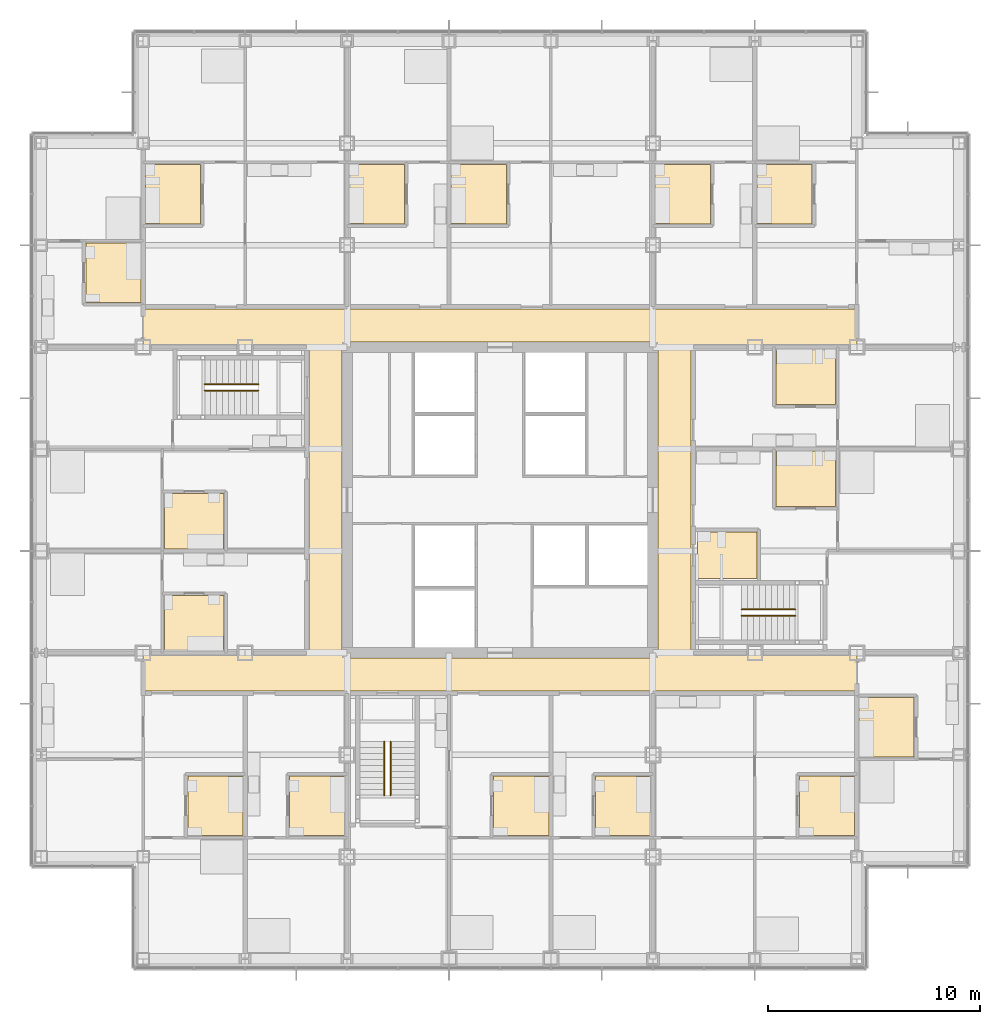
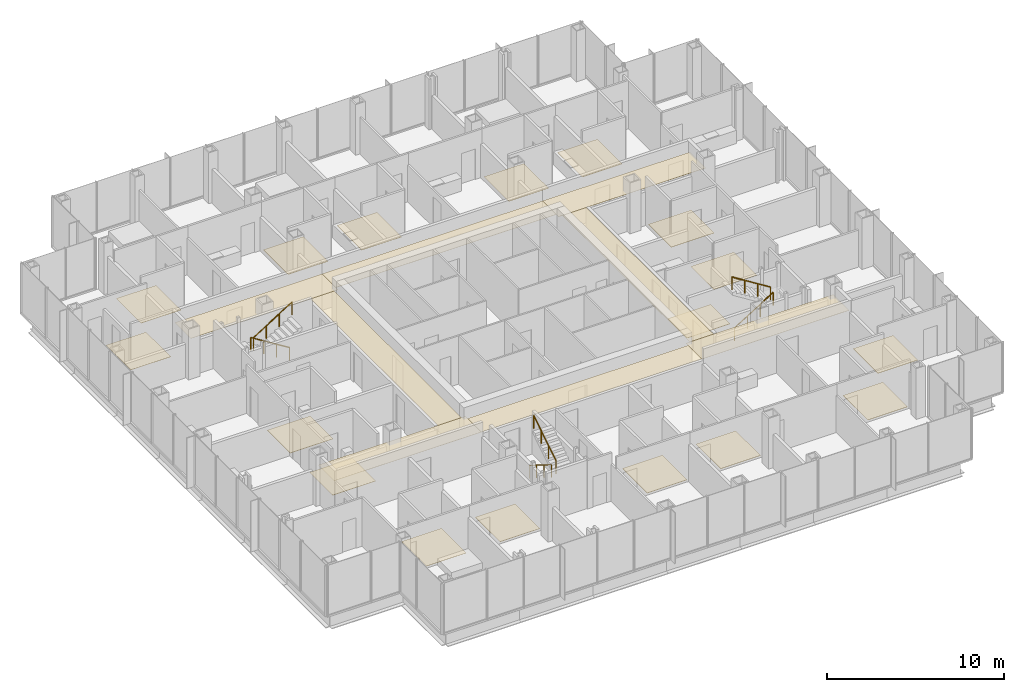
# One storey, part 19 of 21: 25 coverings, 6 railings.
"""IFC4 building model written with IfcOpenShell, lengths in metres."""

from ifc_helpers import new_model, si_unit, direction, frame, origin, origin_2d, place, context, subcontext, project, spatial, polyline, circle, outline, extrude, material, layer, layer_set, type_object, element, save


model = new_model("IFC4")

# Units and contexts
model_context = context("Model", 3, precision=1e-05, world=origin(), true_north=direction((0.0, 1.0)))
body_context = subcontext(model_context, "Body", "Model", "MODEL_VIEW")
ifc_project = project(units=[si_unit("LENGTHUNIT", "METRE"), si_unit("AREAUNIT", "SQUARE_METRE"), si_unit("VOLUMEUNIT", "CUBIC_METRE"), si_unit("PLANEANGLEUNIT", "RADIAN"), si_unit("MASSUNIT", "GRAM", prefix="KILO")], contexts=[model_context])

# Site, building, storey
site_placement = place(None, origin())
site = spatial("IfcSite", under=ifc_project, at=site_placement, CompositionType="ELEMENT")
building_placement = place(site_placement, origin())
building = spatial("IfcBuilding", under=site, at=building_placement, Name="Kvirike Care Tower", CompositionType="ELEMENT")
storey_placement = place(building_placement, frame((0.0, 0.0, 30.5)))
storey = spatial("IfcBuildingStorey", under=building, at=storey_placement, Name="L07", CompositionType="ELEMENT", Elevation=30.5)

# Coverings
ifc_material_1 = material(Name="Perforated metal ceiling tile", Category="aluminium")
ifc_layer_1 = layer(ifc_material_1, 0.014892578125)
ifc_layer_set_1 = layer_set([ifc_layer_1], Name="CORRIDOR CEILING 15")
covering_type_1 = type_object("IfcCoveringType", Name="CORRIDOR CEILING 15", PredefinedType="CEILING", material=ifc_layer_set_1)
covering_1_placement = place(storey_placement, frame((0.0, 0.0, 2.5)))
element("IfcCovering", 1, at=covering_1_placement, inside=storey, type_object=covering_type_1, Name="Corridor ceiling L07", PredefinedType="CEILING", context=body_context, shape_type="SweptSolid", body=[
    extrude(outline(polyline([(4.800048828125, 27.0), (4.800048828125, 28.800048828125), (14.39990234375, 28.800048828125), (14.39990234375, 27.0), (4.800048828125, 27.0)])), origin(), (0.0, 0.0, 1.0), 0.014892578125),
])
covering_2_placement = place(storey_placement, frame((0.0, 0.0, 2.5)))
element("IfcCovering", 2, at=covering_2_placement, inside=storey, type_object=covering_type_1, Name="Corridor ceiling L07", PredefinedType="CEILING", context=body_context, shape_type="SweptSolid", body=[
    extrude(outline(polyline([(12.60009765625, 43.199951171875), (14.14990234375, 43.199951171875), (14.14990234375, 28.800048828125), (12.60009765625, 28.800048828125), (12.60009765625, 43.199951171875)])), origin(), (0.0, 0.0, 1.0), 0.014892578125),
])
covering_3_placement = place(storey_placement, frame((0.0, 0.0, 2.5)))
element("IfcCovering", 3, at=covering_3_placement, inside=storey, type_object=covering_type_1, Name="Corridor ceiling L07", PredefinedType="CEILING", context=body_context, shape_type="SweptSolid", body=[
    extrude(outline(polyline([(14.39990234375, 45.0), (14.39990234375, 43.199951171875), (4.800048828125, 43.199951171875), (4.800048828125, 45.0), (14.39990234375, 45.0)])), origin(), (0.0, 0.0, 1.0), 0.014892578125),
])
covering_4_placement = place(storey_placement, frame((0.0, 0.0, 2.5)))
element("IfcCovering", 4, at=covering_4_placement, inside=storey, type_object=covering_type_1, Name="Corridor ceiling L07", PredefinedType="CEILING", context=body_context, shape_type="SweptSolid", body=[
    extrude(outline(polyline([(14.39990234375, 27.0), (14.39990234375, 28.550048828125), (28.800048828125, 28.550048828125), (28.800048828125, 27.0), (14.39990234375, 27.0)])), origin(), (0.0, 0.0, 1.0), 0.014892578125),
])
covering_5_placement = place(storey_placement, frame((0.0, 0.0, 2.5)))
element("IfcCovering", 5, at=covering_5_placement, inside=storey, type_object=covering_type_1, Name="Corridor ceiling L07", PredefinedType="CEILING", context=body_context, shape_type="SweptSolid", body=[
    extrude(outline(polyline([(28.800048828125, 45.0), (28.800048828125, 43.449951171875), (14.39990234375, 43.449951171875), (14.39990234375, 45.0), (28.800048828125, 45.0)])), origin(), (0.0, 0.0, 1.0), 0.014892578125),
])
covering_6_placement = place(storey_placement, frame((0.0, 0.0, 2.5)))
element("IfcCovering", 6, at=covering_6_placement, inside=storey, type_object=covering_type_1, Name="Corridor ceiling L07", PredefinedType="CEILING", context=body_context, shape_type="SweptSolid", body=[
    extrude(outline(polyline([(28.800048828125, 27.0), (28.800048828125, 28.800048828125), (38.39990234375, 28.800048828125), (38.39990234375, 27.0), (28.800048828125, 27.0)])), origin(), (0.0, 0.0, 1.0), 0.014892578125),
])
covering_7_placement = place(storey_placement, frame((0.0, 0.0, 2.5)))
element("IfcCovering", 7, at=covering_7_placement, inside=storey, type_object=covering_type_1, Name="Corridor ceiling L07", PredefinedType="CEILING", context=body_context, shape_type="SweptSolid", body=[
    extrude(outline(polyline([(30.60009765625, 28.800048828125), (29.050048828125, 28.800048828125), (29.050048828125, 43.199951171875), (30.60009765625, 43.199951171875), (30.60009765625, 28.800048828125)])), origin(), (0.0, 0.0, 1.0), 0.014892578125),
])
covering_8_placement = place(storey_placement, frame((0.0, 0.0, 2.5)))
element("IfcCovering", 8, at=covering_8_placement, inside=storey, type_object=covering_type_1, Name="Corridor ceiling L07", PredefinedType="CEILING", context=body_context, shape_type="SweptSolid", body=[
    extrude(outline(polyline([(38.39990234375, 45.0), (38.39990234375, 43.199951171875), (28.800048828125, 43.199951171875), (28.800048828125, 45.0), (38.39990234375, 45.0)])), origin(), (0.0, 0.0, 1.0), 0.014892578125),
])

# Railings
ifc_material_2 = material(Name="Stainless steel handrail", Category="steel")
railing_type = type_object("IfcRailingType", Name="STAIR HANDRAIL 900", PredefinedType="HANDRAIL", material=ifc_material_2)
railing_1_placement = place(storey_placement, frame((10.219970703125, 41.449951171875, 0.175048828125)))
element("IfcRailing", 9, at=railing_1_placement, inside=storey, type_object=railing_type, Name="Stair 1 handrail L07 flight 1", PredefinedType="HANDRAIL", context=body_context, shape_type="SweptSolid", body=[
    extrude(circle(Radius=0.02490234375, at=origin_2d()), frame((0.0, 0.0, 0.875), z_axis=(-0.848007534815, 0.0, 0.529984170421), x_axis=(0.0, -1.0, 0.0)), (0.0, 0.0, 1.0), 2.9716796875),
    extrude(circle(Radius=0.02001953125, at=origin_2d()), origin(), (0.0, 0.0, 1.0), 0.849853515625),
    extrude(circle(Radius=0.02001953125, at=origin_2d()), frame((-0.840087890625, 0.0, 0.52490234375)), (0.0, 0.0, 1.0), 0.849853515625),
    extrude(circle(Radius=0.02001953125, at=origin_2d()), frame((-1.679931640625, 0.0, 1.050048828125)), (0.0, 0.0, 1.0), 0.849853515625),
    extrude(circle(Radius=0.02001953125, at=origin_2d()), frame((-2.52001953125, 0.0, 1.574951171875)), (0.0, 0.0, 1.0), 0.849853515625),
])
for number, where, name in (
    (10, (7.699951171875, 41.14990234375, 1.925048828125), "Stair 1 handrail L07 flight 2"),
    (11, (32.97998046875, 30.550048828125, 0.175048828125), "Stair 2 handrail L07 flight 1"),
):
    element("IfcRailing", number, at=place(storey_placement, frame(where)), inside=storey, type_object=railing_type, Name=name, PredefinedType="HANDRAIL", context=body_context, shape_type="SweptSolid", body=[
        extrude(circle(Radius=0.02490234375, at=origin_2d()), frame((0.0, 0.0, 0.875), z_axis=(0.848007534815, 0.0, 0.529984170421), x_axis=(0.0, 1.0, 0.0)), (0.0, 0.0, 1.0), 2.9716796875),
        extrude(circle(Radius=0.02001953125, at=origin_2d()), origin(), (0.0, 0.0, 1.0), 0.849853515625),
        extrude(circle(Radius=0.02001953125, at=origin_2d()), frame((0.840087890625, 0.0, 0.52490234375)), (0.0, 0.0, 1.0), 0.849853515625),
        extrude(circle(Radius=0.02001953125, at=origin_2d()), frame((1.679931640625, 0.0, 1.050048828125)), (0.0, 0.0, 1.0), 0.849853515625),
        extrude(circle(Radius=0.02001953125, at=origin_2d()), frame((2.52001953125, 0.0, 1.574951171875)), (0.0, 0.0, 1.0), 0.849853515625),
    ])
railing_2_placement = place(storey_placement, frame((35.5, 30.85009765625, 1.925048828125)))
element("IfcRailing", 12, at=railing_2_placement, inside=storey, type_object=railing_type, Name="Stair 2 handrail L07 flight 2", PredefinedType="HANDRAIL", context=body_context, shape_type="SweptSolid", body=[
    extrude(circle(Radius=0.02490234375, at=origin_2d()), frame((0.0, 0.0, 0.875), z_axis=(-0.848007534815, 0.0, 0.529984170421), x_axis=(0.0, -1.0, 0.0)), (0.0, 0.0, 1.0), 2.9716796875),
    extrude(circle(Radius=0.02001953125, at=origin_2d()), origin(), (0.0, 0.0, 1.0), 0.849853515625),
    extrude(circle(Radius=0.02001953125, at=origin_2d()), frame((-0.840087890625, 0.0, 0.52490234375)), (0.0, 0.0, 1.0), 0.849853515625),
    extrude(circle(Radius=0.02001953125, at=origin_2d()), frame((-1.679931640625, 0.0, 1.050048828125)), (0.0, 0.0, 1.0), 0.849853515625),
    extrude(circle(Radius=0.02001953125, at=origin_2d()), frame((-2.52001953125, 0.0, 1.574951171875)), (0.0, 0.0, 1.0), 0.849853515625),
])
railing_3_placement = place(storey_placement, frame((16.14990234375, 24.6201171875, 0.175048828125)))
element("IfcRailing", 13, at=railing_3_placement, inside=storey, type_object=railing_type, Name="Stair 5 handrail L07 flight 1", PredefinedType="HANDRAIL", context=body_context, shape_type="SweptSolid", body=[
    extrude(circle(Radius=0.02490234375, at=origin_2d()), frame((0.0, 0.0, 0.875), z_axis=(0.0, -0.848007534815, 0.529984170421), x_axis=(1.0, 0.0, 0.0)), (0.0, 0.0, 1.0), 2.9716796875),
    extrude(circle(Radius=0.02001953125, at=origin_2d()), origin(), (0.0, 0.0, 1.0), 0.849853515625),
    extrude(circle(Radius=0.02001953125, at=origin_2d()), frame((0.0, -0.840087890625, 0.52490234375)), (0.0, 0.0, 1.0), 0.849853515625),
    extrude(circle(Radius=0.02001953125, at=origin_2d()), frame((0.0, -1.679931640625, 1.050048828125)), (0.0, 0.0, 1.0), 0.849853515625),
    extrude(circle(Radius=0.02001953125, at=origin_2d()), frame((0.0, -2.52001953125, 1.574951171875)), (0.0, 0.0, 1.0), 0.849853515625),
])
railing_4_placement = place(storey_placement, frame((16.449951171875, 22.10009765625, 1.925048828125)))
element("IfcRailing", 14, at=railing_4_placement, inside=storey, type_object=railing_type, Name="Stair 5 handrail L07 flight 2", PredefinedType="HANDRAIL", context=body_context, shape_type="SweptSolid", body=[
    extrude(circle(Radius=0.02490234375, at=origin_2d()), frame((0.0, 0.0, 0.875), z_axis=(0.0, 0.848007534815, 0.529984170421), x_axis=(-1.0, 0.0, 0.0)), (0.0, 0.0, 1.0), 2.9716796875),
    extrude(circle(Radius=0.02001953125, at=origin_2d()), origin(), (0.0, 0.0, 1.0), 0.849853515625),
    extrude(circle(Radius=0.02001953125, at=origin_2d()), frame((0.0, 0.840087890625, 0.52490234375)), (0.0, 0.0, 1.0), 0.849853515625),
    extrude(circle(Radius=0.02001953125, at=origin_2d()), frame((0.0, 1.679931640625, 1.050048828125)), (0.0, 0.0, 1.0), 0.849853515625),
    extrude(circle(Radius=0.02001953125, at=origin_2d()), frame((0.0, 2.52001953125, 1.574951171875)), (0.0, 0.0, 1.0), 0.849853515625),
])

# Coverings
ifc_material_3 = material(Name="Slip-resistant vinyl safety flooring on screed")
ifc_layer_2 = layer(ifc_material_3, 0.02001953125)
ifc_layer_set_2 = layer_set([ifc_layer_2], Name="WET ROOM FLOOR 20")
covering_type_2 = type_object("IfcCoveringType", Name="WET ROOM FLOOR 20", PredefinedType="FLOORING", material=ifc_layer_set_2)
covering_9_placement = place(storey_placement, origin())
element("IfcCovering", 15, at=covering_9_placement, inside=storey, type_object=covering_type_2, Name="Bathroom floor L07-004", PredefinedType="FLOORING", context=body_context, shape_type="SweptSolid", body=[
    extrude(outline(polyline([(6.89990234375, 20.199951171875), (6.89990234375, 23.0), (9.5, 23.0), (9.5, 20.199951171875), (6.89990234375, 20.199951171875)])), origin(), (0.0, 0.0, 1.0), 0.02001953125),
])
covering_10_placement = place(storey_placement, origin())
element("IfcCovering", 16, at=covering_10_placement, inside=storey, type_object=covering_type_2, Name="Bathroom floor L07-008", PredefinedType="FLOORING", context=body_context, shape_type="SweptSolid", body=[
    extrude(outline(polyline([(11.699951171875, 20.199951171875), (11.699951171875, 23.0), (14.300048828125, 23.0), (14.300048828125, 20.199951171875), (11.699951171875, 20.199951171875)])), origin(), (0.0, 0.0, 1.0), 0.02001953125),
])
covering_11_placement = place(storey_placement, origin())
element("IfcCovering", 17, at=covering_11_placement, inside=storey, type_object=covering_type_2, Name="Bathroom floor L07-014", PredefinedType="FLOORING", context=body_context, shape_type="SweptSolid", body=[
    extrude(outline(polyline([(5.800048828125, 36.300048828125), (8.60009765625, 36.300048828125), (8.60009765625, 33.699951171875), (5.800048828125, 33.699951171875), (5.800048828125, 36.300048828125)])), origin(), (0.0, 0.0, 1.0), 0.02001953125),
])
covering_12_placement = place(storey_placement, origin())
element("IfcCovering", 18, at=covering_12_placement, inside=storey, type_object=covering_type_2, Name="Bathroom floor L07-018", PredefinedType="FLOORING", context=body_context, shape_type="SweptSolid", body=[
    extrude(outline(polyline([(5.800048828125, 31.5), (8.60009765625, 31.5), (8.60009765625, 28.89990234375), (5.800048828125, 28.89990234375), (5.800048828125, 31.5)])), origin(), (0.0, 0.0, 1.0), 0.02001953125),
])
covering_13_placement = place(storey_placement, origin())
element("IfcCovering", 19, at=covering_13_placement, inside=storey, type_object=covering_type_2, Name="Bathroom floor L07-023", PredefinedType="FLOORING", context=body_context, shape_type="SweptSolid", body=[
    extrude(outline(polyline([(7.5, 51.800048828125), (7.5, 49.0), (4.89990234375, 49.0), (4.89990234375, 51.800048828125), (7.5, 51.800048828125)])), origin(), (0.0, 0.0, 1.0), 0.02001953125),
])
covering_14_placement = place(storey_placement, origin())
element("IfcCovering", 20, at=covering_14_placement, inside=storey, type_object=covering_type_2, Name="Bathroom floor L07-027", PredefinedType="FLOORING", context=body_context, shape_type="SweptSolid", body=[
    extrude(outline(polyline([(4.699951171875, 48.10009765625), (4.699951171875, 45.300048828125), (2.10009765625, 45.300048828125), (2.10009765625, 48.10009765625), (4.699951171875, 48.10009765625)])), origin(), (0.0, 0.0, 1.0), 0.02001953125),
])
covering_15_placement = place(storey_placement, origin())
element("IfcCovering", 21, at=covering_15_placement, inside=storey, type_object=covering_type_2, Name="Bathroom floor L07-033", PredefinedType="FLOORING", context=body_context, shape_type="SweptSolid", body=[
    extrude(outline(polyline([(21.300048828125, 20.199951171875), (21.300048828125, 23.0), (23.89990234375, 23.0), (23.89990234375, 20.199951171875), (21.300048828125, 20.199951171875)])), origin(), (0.0, 0.0, 1.0), 0.02001953125),
])
covering_16_placement = place(storey_placement, origin())
element("IfcCovering", 22, at=covering_16_placement, inside=storey, type_object=covering_type_2, Name="Bathroom floor L07-037", PredefinedType="FLOORING", context=body_context, shape_type="SweptSolid", body=[
    extrude(outline(polyline([(26.10009765625, 20.199951171875), (26.10009765625, 23.0), (28.699951171875, 23.0), (28.699951171875, 20.199951171875), (26.10009765625, 20.199951171875)])), origin(), (0.0, 0.0, 1.0), 0.02001953125),
])
covering_17_placement = place(storey_placement, origin())
element("IfcCovering", 23, at=covering_17_placement, inside=storey, type_object=covering_type_2, Name="Bathroom floor L07-042", PredefinedType="FLOORING", context=body_context, shape_type="SweptSolid", body=[
    extrude(outline(polyline([(21.89990234375, 51.800048828125), (21.89990234375, 49.0), (19.300048828125, 49.0), (19.300048828125, 51.800048828125), (21.89990234375, 51.800048828125)])), origin(), (0.0, 0.0, 1.0), 0.02001953125),
])
covering_18_placement = place(storey_placement, origin())
element("IfcCovering", 24, at=covering_18_placement, inside=storey, type_object=covering_type_2, Name="Bathroom floor L07-046", PredefinedType="FLOORING", context=body_context, shape_type="SweptSolid", body=[
    extrude(outline(polyline([(17.10009765625, 51.800048828125), (17.10009765625, 49.0), (14.5, 49.0), (14.5, 51.800048828125), (17.10009765625, 51.800048828125)])), origin(), (0.0, 0.0, 1.0), 0.02001953125),
])
covering_19_placement = place(storey_placement, origin())
element("IfcCovering", 25, at=covering_19_placement, inside=storey, type_object=covering_type_2, Name="Bathroom floor L07-051", PredefinedType="FLOORING", context=body_context, shape_type="SweptSolid", body=[
    extrude(outline(polyline([(35.699951171875, 20.199951171875), (35.699951171875, 23.0), (38.300048828125, 23.0), (38.300048828125, 20.199951171875), (35.699951171875, 20.199951171875)])), origin(), (0.0, 0.0, 1.0), 0.02001953125),
])
covering_20_placement = place(storey_placement, origin())
element("IfcCovering", 26, at=covering_20_placement, inside=storey, type_object=covering_type_2, Name="Bathroom floor L07-055", PredefinedType="FLOORING", context=body_context, shape_type="SweptSolid", body=[
    extrude(outline(polyline([(38.5, 23.89990234375), (38.5, 26.699951171875), (41.10009765625, 26.699951171875), (41.10009765625, 23.89990234375), (38.5, 23.89990234375)])), origin(), (0.0, 0.0, 1.0), 0.02001953125),
])
covering_21_placement = place(storey_placement, origin())
element("IfcCovering", 27, at=covering_21_placement, inside=storey, type_object=covering_type_2, Name="Accessible WC floor L07-061", PredefinedType="FLOORING", context=body_context, shape_type="SweptSolid", body=[
    extrude(outline(polyline([(33.699951171875, 32.300048828125), (30.89990234375, 32.300048828125), (30.89990234375, 34.5), (33.699951171875, 34.5), (33.699951171875, 32.300048828125)])), origin(), (0.0, 0.0, 1.0), 0.02001953125),
])
covering_22_placement = place(storey_placement, origin())
element("IfcCovering", 28, at=covering_22_placement, inside=storey, type_object=covering_type_2, Name="Bathroom floor L07-062", PredefinedType="FLOORING", context=body_context, shape_type="SweptSolid", body=[
    extrude(outline(polyline([(37.39990234375, 35.699951171875), (34.60009765625, 35.699951171875), (34.60009765625, 38.300048828125), (37.39990234375, 38.300048828125), (37.39990234375, 35.699951171875)])), origin(), (0.0, 0.0, 1.0), 0.02001953125),
])
covering_23_placement = place(storey_placement, origin())
element("IfcCovering", 29, at=covering_23_placement, inside=storey, type_object=covering_type_2, Name="Bathroom floor L07-065", PredefinedType="FLOORING", context=body_context, shape_type="SweptSolid", body=[
    extrude(outline(polyline([(37.39990234375, 40.5), (34.60009765625, 40.5), (34.60009765625, 43.10009765625), (37.39990234375, 43.10009765625), (37.39990234375, 40.5)])), origin(), (0.0, 0.0, 1.0), 0.02001953125),
])
covering_24_placement = place(storey_placement, origin())
element("IfcCovering", 30, at=covering_24_placement, inside=storey, type_object=covering_type_2, Name="Bathroom floor L07-070", PredefinedType="FLOORING", context=body_context, shape_type="SweptSolid", body=[
    extrude(outline(polyline([(36.300048828125, 51.800048828125), (36.300048828125, 49.0), (33.699951171875, 49.0), (33.699951171875, 51.800048828125), (36.300048828125, 51.800048828125)])), origin(), (0.0, 0.0, 1.0), 0.02001953125),
])
covering_25_placement = place(storey_placement, origin())
element("IfcCovering", 31, at=covering_25_placement, inside=storey, type_object=covering_type_2, Name="Bathroom floor L07-074", PredefinedType="FLOORING", context=body_context, shape_type="SweptSolid", body=[
    extrude(outline(polyline([(31.5, 51.800048828125), (31.5, 49.0), (28.89990234375, 49.0), (28.89990234375, 51.800048828125), (31.5, 51.800048828125)])), origin(), (0.0, 0.0, 1.0), 0.02001953125),
])

save(model, "model.ifc")
